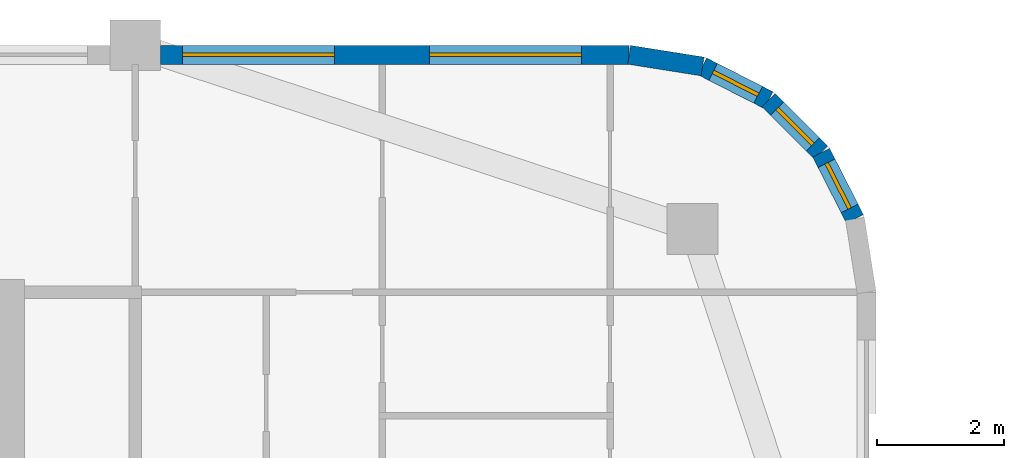
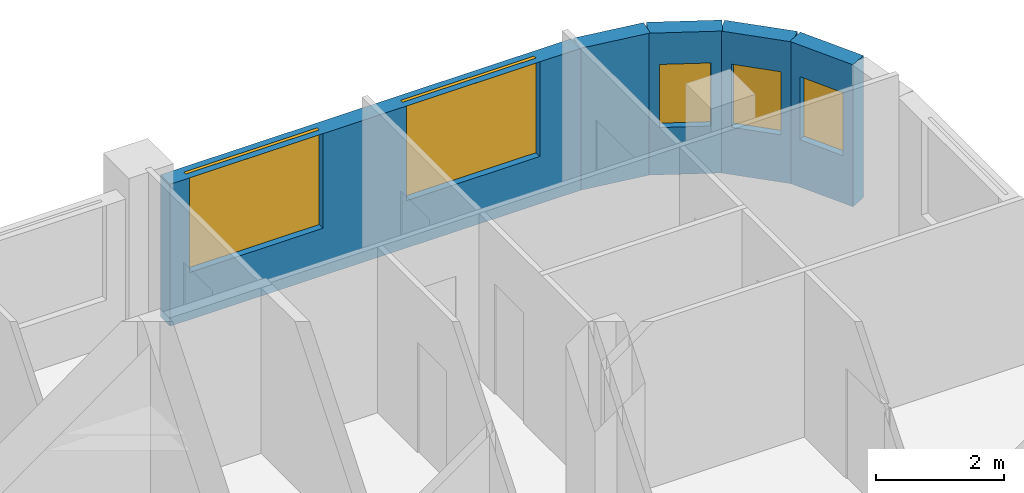
# One storey, part 12 of 16: 5 walls, 5 windows, 5 openings.
"""IFC4 building model written with IfcOpenShell, lengths in metres."""

from ifc_helpers import new_model, si_unit, direction, frame, frame_2d, origin, place, context, subcontext, project, spatial, rectangle, extrude, material, layer, layer_set, type_object, element, fill, save


model = new_model("IFC4")

# Units and contexts
model_context = context("Model", 3, precision=1e-05, world=origin(), true_north=direction((0.0, 1.0)))
body_context = subcontext(model_context, "Body", "Model", "MODEL_VIEW")
ifc_project = project(units=[si_unit("LENGTHUNIT", "METRE"), si_unit("AREAUNIT", "SQUARE_METRE"), si_unit("VOLUMEUNIT", "CUBIC_METRE"), si_unit("PLANEANGLEUNIT", "RADIAN"), si_unit("MASSUNIT", "GRAM", prefix="KILO")], contexts=[model_context])

# Site, building, storey
site_placement = place(None, origin())
site = spatial("IfcSite", under=ifc_project, at=site_placement, CompositionType="ELEMENT")
building_placement = place(site_placement, origin())
building = spatial("IfcBuilding", under=site, at=building_placement, Name="Ludao Terraces", CompositionType="ELEMENT")
storey_placement = place(building_placement, frame((0.0, 0.0, 207.5)))
storey = spatial("IfcBuildingStorey", under=building, at=storey_placement, Name="L56", CompositionType="ELEMENT", Elevation=207.5)

# Wall, openings, windows
ifc_material_1 = material(Name="Granite cladding", Category="masonry")
ifc_layer_1 = layer(ifc_material_1, 0.0400390625, Category="stone")
ifc_material_2 = material(Name="Mineral wool")
ifc_layer_2 = layer(ifc_material_2, 0.06005859375)
ifc_material_3 = material(Name="Concrete C40", Category="concrete")
ifc_layer_3 = layer(ifc_material_3, 0.199951171875, Category="concrete")
ifc_layer_set_1 = layer_set([ifc_layer_1, ifc_layer_2, ifc_layer_3], Name="ENV Stone-clad wall 300")
wall_type = type_object("IfcWallType", Name="ENV Stone-clad wall 300", PredefinedType="SOLIDWALL", material=ifc_layer_set_1)
wall_1_placement = place(storey_placement, frame((97.10009765625, 88.25, 0.0), z_axis=(0.0, 0.0, 1.0), x_axis=(1.0, 0.0, 0.0)))
wall_1 = element("IfcWall", 1, at=wall_1_placement, inside=storey, type_object=wall_type, Name="EW-L56-N3", PredefinedType="SOLIDWALL", context=body_context, shape_type="SweptSolid", body=[
    extrude(rectangle(XDim=7.39990234375, YDim=0.300048828125, at=frame_2d((3.699951171875, 0.0))), origin(), (0.0, 0.0, 1.0), 2.699951171875),
])
opening_1_placement = place(wall_1_placement, frame((0.35009765625, 0.0, 0.89990234375)))
opening_1 = element("IfcOpeningElement", 2, at=opening_1_placement, cuts=wall_1, Name="Opening W1", PredefinedType="OPENING", context=body_context, shape_type="SweptSolid", body=[
    extrude(rectangle(XDim=2.39990234375, YDim=1.800048828125, at=frame_2d((1.199951171875, 0.89990234375))), frame((0.0, 0.16015625, 0.0), z_axis=(0.0, -1.0, 0.0), x_axis=(1.0, 0.0, 0.0)), (0.0, 0.0, 1.0), 0.320068359375),
])
opening_2_placement = place(wall_1_placement, frame((4.25, 0.0, 0.89990234375)))
opening_2 = element("IfcOpeningElement", 3, at=opening_2_placement, cuts=wall_1, Name="Opening W1", PredefinedType="OPENING", context=body_context, shape_type="SweptSolid", body=[
    extrude(rectangle(XDim=2.39990234375, YDim=1.800048828125, at=frame_2d((1.199951171875, 0.89990234375))), frame((0.0, 0.16015625, 0.0), z_axis=(0.0, -1.0, 0.0), x_axis=(1.0, 0.0, 0.0)), (0.0, 0.0, 1.0), 0.320068359375),
])
ifc_material_4 = material(Name="Clear glass in aluminium frame", Category="aluminium")
ifc_layer_4 = layer(ifc_material_4, 0.06005859375)
ifc_layer_set_2 = layer_set([ifc_layer_4], Name="ENV Window W1 2400x1800")
window_type_1 = type_object("IfcWindowType", Name="ENV Window W1 2400x1800", PartitioningType="DOUBLE_PANEL_VERTICAL", PredefinedType="WINDOW", material=ifc_layer_set_2)
window_1_placement = place(opening_1_placement, origin())
window_1 = element("IfcWindow", 4, at=window_1_placement, inside=storey, type_object=window_type_1, Name="W-L56-N3-1", OverallHeight=1.800048828125, OverallWidth=2.39990234375, PartitioningType="DOUBLE_PANEL_VERTICAL", PredefinedType="WINDOW", context=body_context, shape_type="SweptSolid", body=[
    extrude(rectangle(XDim=2.39990234375, YDim=1.800048828125, at=frame_2d((1.199951171875, 0.89990234375))), frame((0.0, 0.030029296875, 0.0), z_axis=(0.0, -1.0, 0.0), x_axis=(1.0, 0.0, 0.0)), (0.0, 0.0, 1.0), 0.06005859375),
])
fill(opening_1, window_1)
window_2_placement = place(opening_2_placement, origin())
window_2 = element("IfcWindow", 5, at=window_2_placement, inside=storey, type_object=window_type_1, Name="W-L56-N3-2", OverallHeight=1.800048828125, OverallWidth=2.39990234375, PartitioningType="DOUBLE_PANEL_VERTICAL", PredefinedType="WINDOW", context=body_context, shape_type="SweptSolid", body=[
    extrude(rectangle(XDim=2.39990234375, YDim=1.800048828125, at=frame_2d((1.199951171875, 0.89990234375))), frame((0.0, 0.030029296875, 0.0), z_axis=(0.0, -1.0, 0.0), x_axis=(1.0, 0.0, 0.0)), (0.0, 0.0, 1.0), 0.06005859375),
])
fill(opening_2, window_2)

# Wall, opening, window
wall_2_placement = place(storey_placement, frame((108.06640625, 85.65869140625, 0.0), z_axis=(0.0, 0.0, 1.0), x_axis=(-0.454025524128, 0.890988677504, 0.0)))
wall_2 = element("IfcWall", 6, at=wall_2_placement, inside=storey, type_object=wall_type, Name="EW-L56-NE2", PredefinedType="SOLIDWALL", context=body_context, shape_type="SweptSolid", body=[
    extrude(rectangle(XDim=1.17333984375, YDim=0.300048828125, at=frame_2d((0.586669921875, 0.0))), origin(), (0.0, 0.0, 1.0), 2.699951171875),
])
opening_3_placement = place(wall_2_placement, frame((0.1865234375, 0.0, 0.89990234375)))
opening_3 = element("IfcOpeningElement", 7, at=opening_3_placement, cuts=wall_2, Name="Opening W3", PredefinedType="OPENING", context=body_context, shape_type="SweptSolid", body=[
    extrude(rectangle(XDim=0.800048828125, YDim=1.199951171875, at=frame_2d((0.39990234375, 0.60009765625))), frame((0.0, 0.16015625, 0.0), z_axis=(0.0, -1.0, 0.0), x_axis=(1.0, 0.0, 0.0)), (0.0, 0.0, 1.0), 0.320068359375),
])
ifc_layer_5 = layer(ifc_material_4, 0.06005859375)
ifc_layer_set_3 = layer_set([ifc_layer_5], Name="ENV Window W3 800x1200")
window_type_2 = type_object("IfcWindowType", Name="ENV Window W3 800x1200", PartitioningType="SINGLE_PANEL", PredefinedType="WINDOW", material=ifc_layer_set_3)
window_3_placement = place(opening_3_placement, origin())
window_3 = element("IfcWindow", 8, at=window_3_placement, inside=storey, type_object=window_type_2, Name="W-L56-NE2", OverallHeight=1.199951171875, OverallWidth=0.800048828125, PartitioningType="SINGLE_PANEL", PredefinedType="WINDOW", context=body_context, shape_type="SweptSolid", body=[
    extrude(rectangle(XDim=0.800048828125, YDim=1.199951171875, at=frame_2d((0.39990234375, 0.60009765625))), frame((0.0, 0.030029296875, 0.0), z_axis=(0.0, -1.0, 0.0), x_axis=(1.0, 0.0, 0.0)), (0.0, 0.0, 1.0), 0.06005859375),
])
fill(opening_3, window_3)

wall_3_placement = place(storey_placement, frame((107.53369140625, 86.7041015625, 0.0), z_axis=(0.0, 0.0, 1.0), x_axis=(-0.707106781187, 0.707106781187, 0.0)))
wall_3 = element("IfcWall", 9, at=wall_3_placement, inside=storey, type_object=wall_type, Name="EW-L56-NE3", PredefinedType="SOLIDWALL", context=body_context, shape_type="SweptSolid", body=[
    extrude(rectangle(XDim=1.173095703125, YDim=0.300048828125, at=frame_2d((0.58642578125, 0.0))), origin(), (0.0, 0.0, 1.0), 2.699951171875),
])
opening_4_placement = place(wall_3_placement, frame((0.1865234375, 0.0, 0.89990234375)))
opening_4 = element("IfcOpeningElement", 10, at=opening_4_placement, cuts=wall_3, Name="Opening W3", PredefinedType="OPENING", context=body_context, shape_type="SweptSolid", body=[
    extrude(rectangle(XDim=0.800048828125, YDim=1.199951171875, at=frame_2d((0.39990234375, 0.60009765625))), frame((0.0, 0.16015625, 0.0), z_axis=(0.0, -1.0, 0.0), x_axis=(1.0, 0.0, 0.0)), (0.0, 0.0, 1.0), 0.320068359375),
])
window_4_placement = place(opening_4_placement, origin())
window_4 = element("IfcWindow", 11, at=window_4_placement, inside=storey, type_object=window_type_2, Name="W-L56-NE3", OverallHeight=1.199951171875, OverallWidth=0.800048828125, PartitioningType="SINGLE_PANEL", PredefinedType="WINDOW", context=body_context, shape_type="SweptSolid", body=[
    extrude(rectangle(XDim=0.800048828125, YDim=1.199951171875, at=frame_2d((0.39990234375, 0.60009765625))), frame((0.0, 0.030029296875, 0.0), z_axis=(0.0, -1.0, 0.0), x_axis=(1.0, 0.0, 0.0)), (0.0, 0.0, 1.0), 0.06005859375),
])
fill(opening_4, window_4)

wall_4_placement = place(storey_placement, frame((106.7041015625, 87.53369140625, 0.0), z_axis=(0.0, 0.0, 1.0), x_axis=(-0.890988677504, 0.454025524128, 0.0)))
wall_4 = element("IfcWall", 12, at=wall_4_placement, inside=storey, type_object=wall_type, Name="EW-L56-NE4", PredefinedType="SOLIDWALL", context=body_context, shape_type="SweptSolid", body=[
    extrude(rectangle(XDim=1.17333984375, YDim=0.300048828125, at=frame_2d((0.586669921875, 0.0))), origin(), (0.0, 0.0, 1.0), 2.699951171875),
])
opening_5_placement = place(wall_4_placement, frame((0.1865234375, 0.0, 0.89990234375)))
opening_5 = element("IfcOpeningElement", 13, at=opening_5_placement, cuts=wall_4, Name="Opening W3", PredefinedType="OPENING", context=body_context, shape_type="SweptSolid", body=[
    extrude(rectangle(XDim=0.800048828125, YDim=1.199951171875, at=frame_2d((0.39990234375, 0.60009765625))), frame((0.0, 0.16015625, 0.0), z_axis=(0.0, -1.0, 0.0), x_axis=(1.0, 0.0, 0.0)), (0.0, 0.0, 1.0), 0.320068359375),
])
window_5_placement = place(opening_5_placement, origin())
window_5 = element("IfcWindow", 14, at=window_5_placement, inside=storey, type_object=window_type_2, Name="W-L56-NE4", OverallHeight=1.199951171875, OverallWidth=0.800048828125, PartitioningType="SINGLE_PANEL", PredefinedType="WINDOW", context=body_context, shape_type="SweptSolid", body=[
    extrude(rectangle(XDim=0.800048828125, YDim=1.199951171875, at=frame_2d((0.39990234375, 0.60009765625))), frame((0.0, 0.030029296875, 0.0), z_axis=(0.0, -1.0, 0.0), x_axis=(1.0, 0.0, 0.0)), (0.0, 0.0, 1.0), 0.06005859375),
])
fill(opening_5, window_5)

# Wall
wall_5_placement = place(storey_placement, frame((105.65869140625, 88.06640625, 0.0), z_axis=(0.0, 0.0, 1.0), x_axis=(-0.987678452879, 0.156496880861, 0.0)))
element("IfcWall", 15, at=wall_5_placement, inside=storey, type_object=wall_type, Name="EW-L56-NE5", PredefinedType="SOLIDWALL", context=body_context, shape_type="SweptSolid", body=[
    extrude(rectangle(XDim=1.173095703125, YDim=0.300048828125, at=frame_2d((0.58642578125, 0.0))), origin(), (0.0, 0.0, 1.0), 2.699951171875),
])

save(model, "model.ifc")
